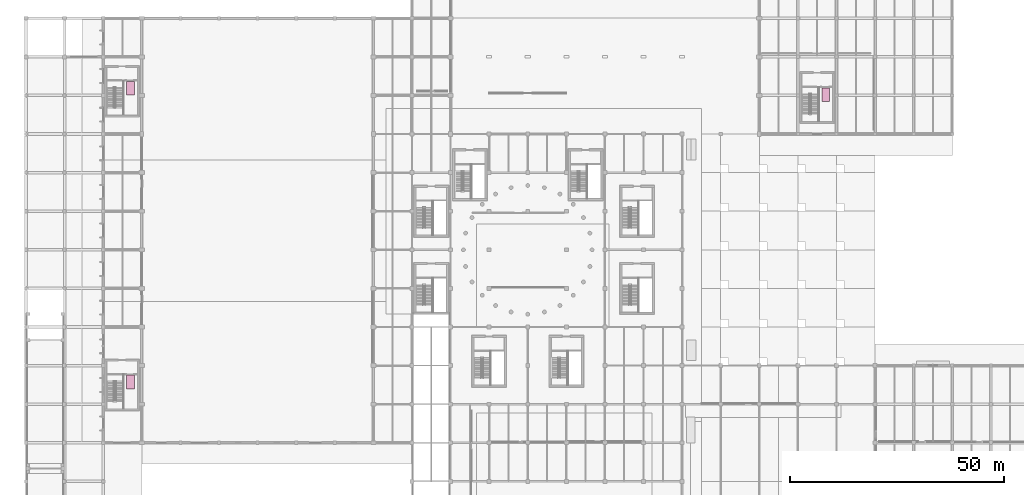
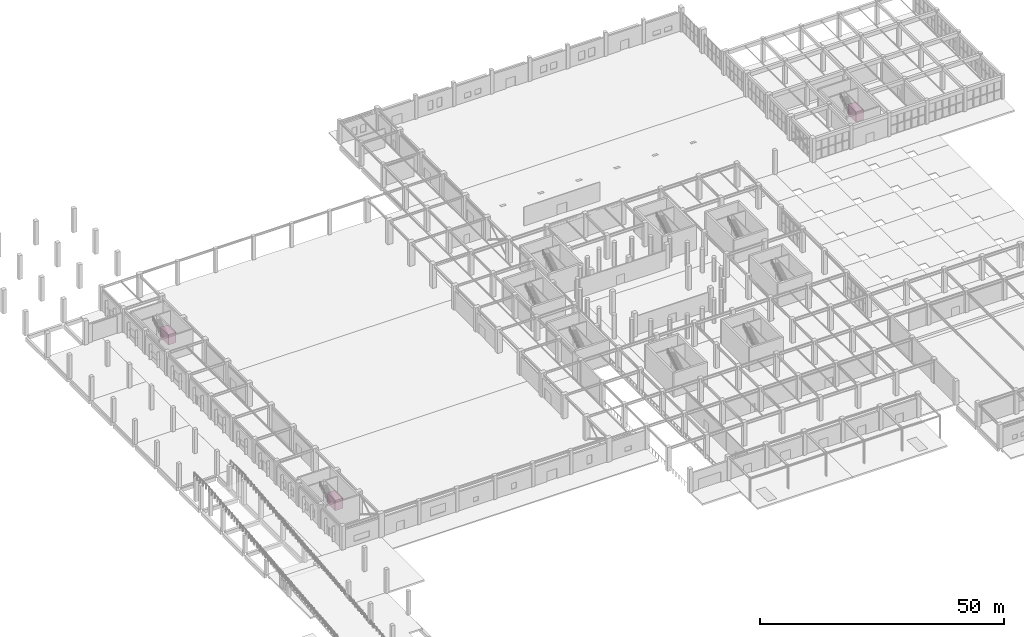
# One storey, part 91 of 91: 3 transport elements.
"""IFC4 building model written with IfcOpenShell, lengths in metres."""

from ifc_helpers import new_model, si_unit, direction, frame, origin, origin_2d, place, context, subcontext, project, spatial, rectangle, extrude, material, type_object, element, save


model = new_model("IFC4")

# Units and contexts
model_context = context("Model", 3, precision=1e-05, world=origin(), true_north=direction((0.0, 1.0)))
body_context = subcontext(model_context, "Body", "Model", "MODEL_VIEW")
ifc_project = project(units=[si_unit("LENGTHUNIT", "METRE"), si_unit("AREAUNIT", "SQUARE_METRE"), si_unit("VOLUMEUNIT", "CUBIC_METRE"), si_unit("PLANEANGLEUNIT", "RADIAN"), si_unit("MASSUNIT", "GRAM", prefix="KILO")], contexts=[model_context])

# Site, building, storey
site_placement = place(None, origin())
site = spatial("IfcSite", under=ifc_project, at=site_placement, CompositionType="ELEMENT")
building_placement = place(site_placement, origin())
building = spatial("IfcBuilding", under=site, at=building_placement, Name="Dornveld Trade and Exhibition Forum", CompositionType="ELEMENT")
storey_placement = place(building_placement, origin())
storey = spatial("IfcBuildingStorey", under=building, at=storey_placement, Name="L00", CompositionType="ELEMENT", Elevation=0.0)

# Transport elements
ifc_material = material(Name="Heavy-duty stainless steel freight lift car", Category="steel")
transport_element_type = type_object("IfcTransportElementType", Name="LFT-GOODS-1800", PredefinedType="ELEVATOR", material=ifc_material)
for number, where, z_axis, x_axis, name in (
    (1, (24.375, 50.14990234375, 0.0), (0.0, 0.0, 1.0), (1.0, 0.0, 0.0), "CORE-09 heavy freight lift LFT-09"),
    (2, (24.375, 118.64990234375, 0.0), (0.0, 0.0, 1.0), (1.0, 0.0, 0.0), "CORE-10 heavy freight lift LFT-10"),
    (3, (186.47509765625, 117.14990234375, 0.0), (0.0, 0.0, 1.0), (1.0, 0.0, 0.0), "CORE-12 heavy freight lift LFT-12"),
):
    element("IfcTransportElement", number, at=place(storey_placement, frame(where, z_axis=z_axis, x_axis=x_axis)), inside=storey, type_object=transport_element_type, Name=name, PredefinedType="ELEVATOR", context=body_context, shape_type="SweptSolid", body=[
        extrude(rectangle(XDim=1.800048828125, YDim=3.199951171875, at=origin_2d()), origin(), (0.0, 0.0, 1.0), 2.550048828125),
    ])

save(model, "model.ifc")
